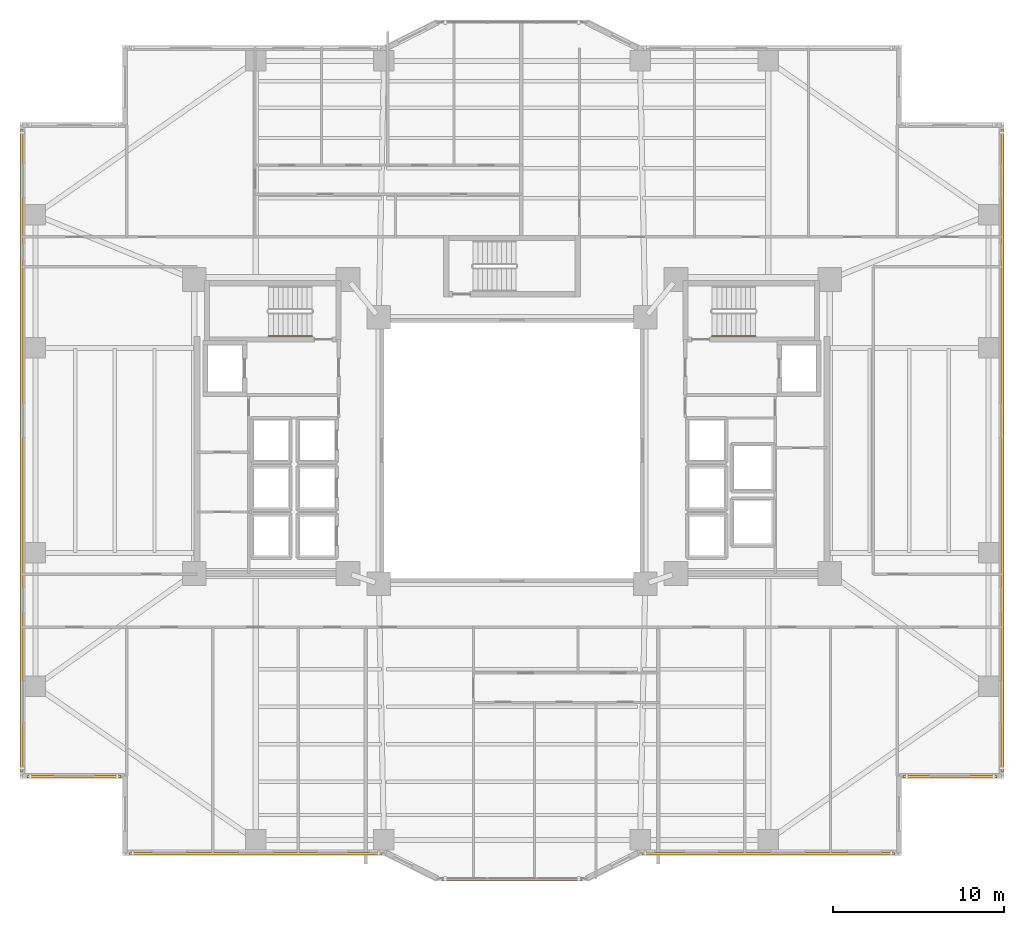
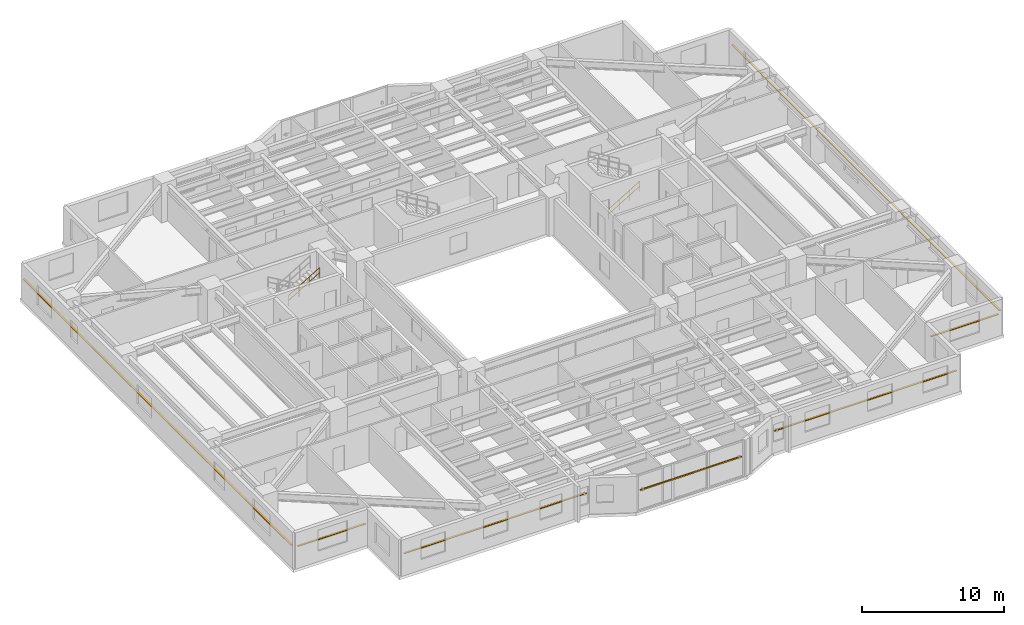
# One storey, part 17 of 19: 7 shading devices, 2 railings.
"""IFC4 building model written with IfcOpenShell, lengths in metres."""

from ifc_helpers import new_model, si_unit, direction, frame, origin, origin_2d, place, context, subcontext, project, spatial, rectangle, circle, extrude, material, material_profile, profile_set, type_object, element, save


model = new_model("IFC4")

# Units and contexts
model_context = context("Model", 3, precision=1e-05, world=origin(), true_north=direction((0.0, 1.0)))
body_context = subcontext(model_context, "Body", "Model", "MODEL_VIEW")
ifc_project = project(units=[si_unit("LENGTHUNIT", "METRE"), si_unit("AREAUNIT", "SQUARE_METRE"), si_unit("VOLUMEUNIT", "CUBIC_METRE"), si_unit("PLANEANGLEUNIT", "RADIAN"), si_unit("MASSUNIT", "GRAM", prefix="KILO")], contexts=[model_context])

# Site, building, storey
site_placement = place(None, origin())
site = spatial("IfcSite", under=ifc_project, at=site_placement, CompositionType="ELEMENT")
building_placement = place(site_placement, origin())
building = spatial("IfcBuilding", under=site, at=building_placement, Name="Tarnavaz Court Tower", CompositionType="ELEMENT")
storey_placement = place(building_placement, frame((0.0, 0.0, 54.14990234375)))
storey = spatial("IfcBuildingStorey", under=building, at=storey_placement, Name="L14", CompositionType="ELEMENT", Elevation=54.14990234375)

# Railings
ifc_material_1 = material(Name="Brushed Stainless Steel", Category="steel")
railing_type = type_object("IfcRailingType", Name="RL-HANDRAIL-900", PredefinedType="HANDRAIL", material=ifc_material_1)
for number, where, name in (
    (1, (-14.239990234375, 6.699951171875, 1.842529296875), "L14 ST-W1 stair handrail 2"),
    (2, (11.719970703125, 6.699951171875, 0.16748046875), "L14 ST-E1 stair handrail 1"),
):
    element("IfcRailing", number, at=place(storey_placement, frame(where)), inside=storey, type_object=railing_type, Name=name, PredefinedType="HANDRAIL", context=body_context, shape_type="SweptSolid", body=[
        extrude(circle(Radius=0.02392578125, at=origin_2d()), frame((0.0, 0.0, 0.8759765625), z_axis=(0.858159760407, 0.0, 0.513382728203), x_axis=(0.0, 1.0, 0.0)), (0.0, 0.0, 1.0), 2.9365234375),
        extrude(circle(Radius=0.02392578125, at=origin_2d()), frame((0.0, 0.0, 0.449951171875), z_axis=(0.858159760407, 0.0, 0.513382728203), x_axis=(0.0, 1.0, 0.0)), (0.0, 0.0, 1.0), 2.9365234375),
        extrude(circle(Radius=0.02099609375, at=origin_2d()), origin(), (0.0, 0.0, 1.0), 0.851806640625),
        extrude(circle(Radius=0.02099609375, at=origin_2d()), frame((0.840087890625, 0.0, 0.50244140625)), (0.0, 0.0, 1.0), 0.851806640625),
        extrude(circle(Radius=0.02099609375, at=origin_2d()), frame((1.679931640625, 0.0, 1.005126953125)), (0.0, 0.0, 1.0), 0.851806640625),
        extrude(circle(Radius=0.02099609375, at=origin_2d()), frame((2.52001953125, 0.0, 1.507568359375)), (0.0, 0.0, 1.0), 0.851806640625),
    ])

# Shading devices
ifc_material_2 = material(Name="Kiln-Fired Khorasan Terracotta Ceramic", Category="masonry")
ifc_material_profile_1 = material_profile(ifc_material_2, rectangle(XDim=0.1201171875, YDim=0.06005859375, at=origin_2d()), Name="TC BAGUETTE 120X60")
ifc_profile_set_1 = profile_set([ifc_material_profile_1], Name="Kiln-Fired Khorasan Terracotta Ceramic")
shading_device_type_1 = type_object("IfcShadingDeviceType", Name="SD-BAG-120", PredefinedType="USERDEFINED", material=ifc_profile_set_1)
shading_device_1_placement = place(storey_placement, frame((4.10009765625, -25.110107421875, 1.800048828125), z_axis=(-1.0, 0.0, 0.0), x_axis=(0.0, -1.0, 0.0)))
element("IfcShadingDevice", 3, at=shading_device_1_placement, inside=storey, type_object=shading_device_type_1, Name="L14 Terracotta Baguette Screen PBG17", ObjectType="BAGUETTE", PredefinedType="USERDEFINED", context=body_context, shape_type="SweptSolid", body=[
    extrude(rectangle(XDim=0.1201171875, YDim=0.06005859375, at=origin_2d()), origin(), (0.0, 0.0, 1.0), 8.2001953125),
])
ifc_material_profile_2 = material_profile(ifc_material_2, rectangle(XDim=0.14990234375, YDim=0.06494140625, at=origin_2d()), Name="TC BAGUETTE 150X65")
ifc_profile_set_2 = profile_set([ifc_material_profile_2], Name="Kiln-Fired Khorasan Terracotta Ceramic")
shading_device_type_2 = type_object("IfcShadingDeviceType", Name="SD-BAG-150", PredefinedType="USERDEFINED", material=ifc_profile_set_2)
shading_device_2_placement = place(storey_placement, frame((-22.89990234375, -19.110107421875, 1.85009765625), z_axis=(-1.0, 0.0, 0.0), x_axis=(0.0, -1.0, 0.0)))
element("IfcShadingDevice", 4, at=shading_device_2_placement, inside=storey, type_object=shading_device_type_2, Name="L14 Terracotta Baguette Screen FBG01", ObjectType="BAGUETTE", PredefinedType="USERDEFINED", context=body_context, shape_type="SweptSolid", body=[
    extrude(rectangle(XDim=0.14990234375, YDim=0.06494140625, at=origin_2d()), origin(), (0.0, 0.0, 1.0), 5.5),
])
for number, where, z_axis, x_axis, name in (
    (5, (-28.7099609375, -18.800048828125, 1.85009765625), (0.0, 1.0, 0.0), (-1.0, 0.0, 0.0), "L14 Terracotta Baguette Screen FBG02"),
    (6, (28.7099609375, 18.800048828125, 1.85009765625), (0.0, -1.0, 0.0), (1.0, 0.0, 0.0), "L14 Terracotta Baguette Screen FBG12"),
):
    element("IfcShadingDevice", number, at=place(storey_placement, frame(where, z_axis=z_axis, x_axis=x_axis)), inside=storey, type_object=shading_device_type_2, Name=name, ObjectType="BAGUETTE", PredefinedType="USERDEFINED", context=body_context, shape_type="SweptSolid", body=[
        extrude(rectangle(XDim=0.14990234375, YDim=0.06494140625, at=origin_2d()), origin(), (0.0, 0.0, 1.0), 37.60009765625),
    ])
shading_device_3_placement = place(storey_placement, frame((28.39990234375, -19.110107421875, 1.85009765625), z_axis=(-1.0, 0.0, 0.0), x_axis=(0.0, -1.0, 0.0)))
element("IfcShadingDevice", 7, at=shading_device_3_placement, inside=storey, type_object=shading_device_type_2, Name="L14 Terracotta Baguette Screen FBG13", ObjectType="BAGUETTE", PredefinedType="USERDEFINED", context=body_context, shape_type="SweptSolid", body=[
    extrude(rectangle(XDim=0.14990234375, YDim=0.06494140625, at=origin_2d()), origin(), (0.0, 0.0, 1.0), 5.5),
])
for number, where, z_axis, x_axis, name in (
    (8, (22.39990234375, -23.610107421875, 1.85009765625), (-1.0, 0.0, 0.0), (0.0, -1.0, 0.0), "L14 Terracotta Baguette Screen FBG15"),
    (9, (-7.60009765625, -23.610107421875, 1.85009765625), (-1.0, 0.0, 0.0), (0.0, -1.0, 0.0), "L14 Terracotta Baguette Screen FBG19"),
):
    element("IfcShadingDevice", number, at=place(storey_placement, frame(where, z_axis=z_axis, x_axis=x_axis)), inside=storey, type_object=shading_device_type_2, Name=name, ObjectType="BAGUETTE", PredefinedType="USERDEFINED", context=body_context, shape_type="SweptSolid", body=[
        extrude(rectangle(XDim=0.14990234375, YDim=0.06494140625, at=origin_2d()), origin(), (0.0, 0.0, 1.0), 14.7998046875),
    ])

save(model, "model.ifc")
